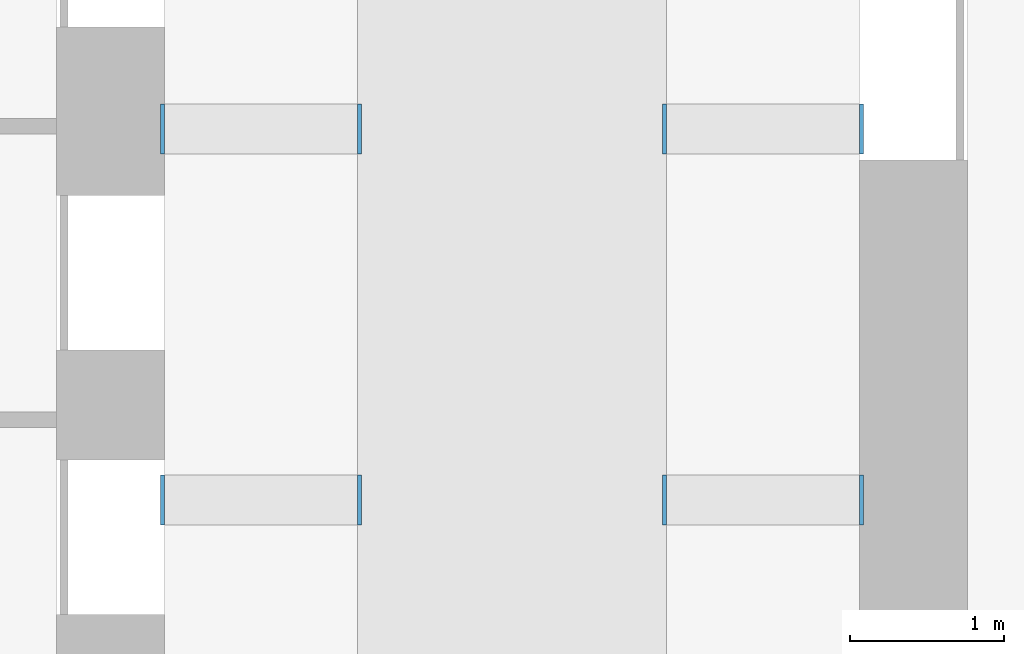
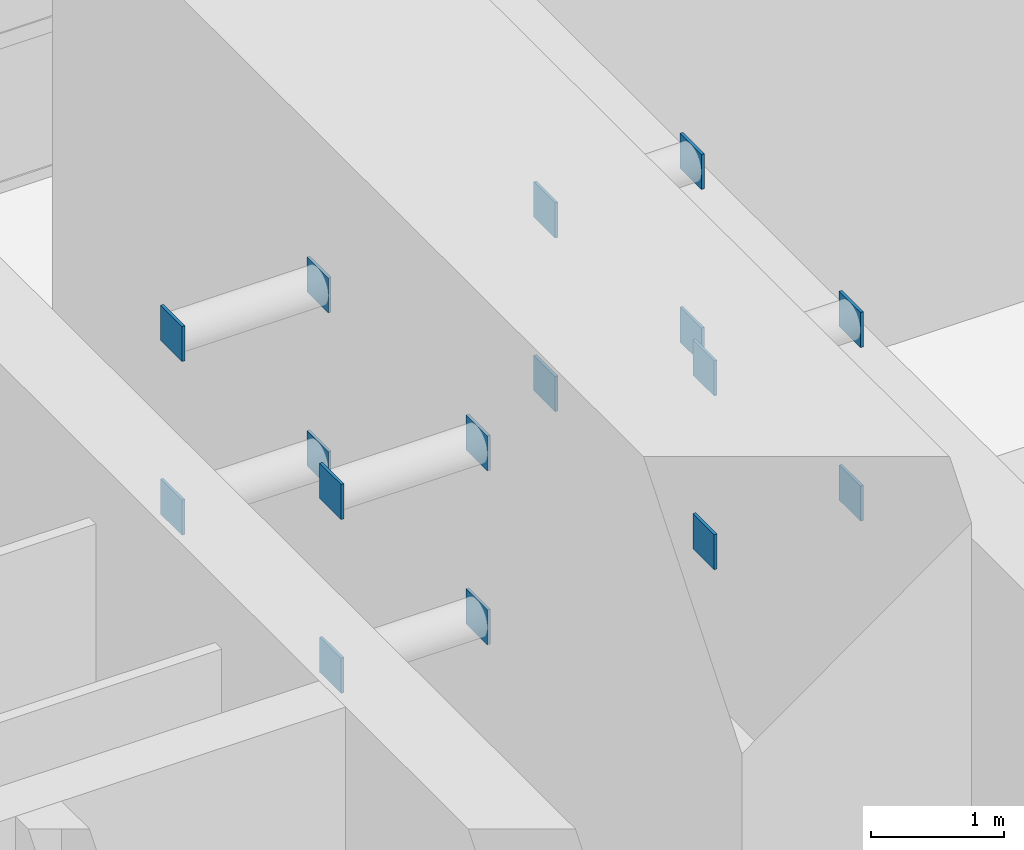
# One storey, part 12 of 13: 16 discrete accessories.
"""IFC4 building model written with IfcOpenShell, lengths in metres."""

import ifcopenshell
import ifcopenshell.guid

model = None  # the IFC model being written
_history = None  # IfcOwnerHistory: only IFC2X3 demands one
_inside = {}  # id of a spatial element -> (the spatial element, [elements in it])
_under = {}  # id of a project, library or spatial element -> (it, [spatial elements below it])
_declared = {}  # id of a project -> (the project, [libraries it declares])
_typed = {}  # id of a type object -> (the type object, [elements of that type])
_made_of = {}  # id of a material, layer set ... -> (it, [elements and type objects made of it])


def new_model(schema):
    """Start an empty IFC model of exactly this schema.

    Asked for "IFC4X3", IfcOpenShell would pick the latest addendum, in which some entities
    have other attributes; the version numbers below select the first issue.
    IFC2X3 requires an IfcOwnerHistory on every rooted entity: one is made here for all.
    """
    global model, _history
    if schema == "IFC4X3":
        model = ifcopenshell.file(schema_version=(4, 3, 0, 0))
    else:
        model = ifcopenshell.file(schema=schema)
    _inside.clear()
    _under.clear()
    _declared.clear()
    _typed.clear()
    _made_of.clear()
    _history = None
    if model.schema == "IFC2X3":
        org = make("IfcOrganization", Name="unknown")
        user = make(
            "IfcPersonAndOrganization",
            ThePerson=make("IfcPerson", FamilyName="unknown"),
            TheOrganization=org,
        )
        app = make(
            "IfcApplication",
            ApplicationDeveloper=org,
            Version="unknown",
            ApplicationFullName="unknown",
            ApplicationIdentifier="unknown",
        )
        _history = make(
            "IfcOwnerHistory",
            OwningUser=user,
            OwningApplication=app,
            ChangeAction="ADDED",
            CreationDate=0,
        )
    return model


def make(cls, **values):
    """One entity of the class cls with the attributes given. An attribute that is None is left unset."""
    return model.create_entity(
        cls, **{name: value for name, value in values.items() if value is not None}
    )


def rooted(cls, **values):
    """An entity with a GlobalId (a new one), such as an element, a storey or a relation."""
    return make(cls, GlobalId=ifcopenshell.guid.new(), OwnerHistory=_history, **values)


def si_unit(unit_type, name, prefix=None):
    """IfcSIUnit, for example si_unit("LENGTHUNIT", "METRE", prefix="MILLI")."""
    return make("IfcSIUnit", UnitType=unit_type, Prefix=prefix, Name=name)


def assignment(units):
    """IfcUnitAssignment: the units of a project."""
    return None if units is None else make("IfcUnitAssignment", Units=units)


def point(xyz):
    """IfcCartesianPoint."""
    return None if xyz is None else make("IfcCartesianPoint", Coordinates=xyz)


def direction(xyz):
    """IfcDirection."""
    return None if xyz is None else make("IfcDirection", DirectionRatios=xyz)


def frame(location, z_axis=None, x_axis=None):
    """IfcAxis2Placement3D, a coordinate frame: its origin and axes. An axis left out is left unset."""
    return make(
        "IfcAxis2Placement3D",
        Location=point(location),
        Axis=direction(z_axis),
        RefDirection=direction(x_axis),
    )


def frame_2d(location, x_axis=None):
    """IfcAxis2Placement2D, a coordinate frame in the plane: its origin and x axis."""
    return make(
        "IfcAxis2Placement2D", Location=point(location), RefDirection=direction(x_axis)
    )


def origin():
    """The frame at (0, 0, 0) with its axes left unset."""
    return frame((0.0, 0.0, 0.0))


def origin_2d():
    """The frame at (0, 0) in the plane with its x axis left unset."""
    return frame_2d((0.0, 0.0))


def place(relative_to, where):
    """IfcLocalPlacement: puts the frame where relative to a parent placement (None: the world)."""
    return make(
        "IfcLocalPlacement", PlacementRelTo=relative_to, RelativePlacement=where
    )


def context(
    kind, dimensions, precision=None, world=None, true_north=None, identifier=None
):
    """IfcGeometricRepresentationContext, for example the 3D "Model" context."""
    return make(
        "IfcGeometricRepresentationContext",
        ContextIdentifier=identifier,
        ContextType=kind,
        CoordinateSpaceDimension=dimensions,
        Precision=precision,
        WorldCoordinateSystem=world,
        TrueNorth=true_north,
    )


def subcontext(parent, identifier, kind, view, scale=None):
    """IfcGeometricRepresentationSubContext, for example "Body" below "Model"."""
    return make(
        "IfcGeometricRepresentationSubContext",
        ContextIdentifier=identifier,
        ContextType=kind,
        ParentContext=parent,
        TargetScale=scale,
        TargetView=view,
    )


def project(units=None, contexts=None):
    """IfcProject with its units and contexts."""
    return rooted(
        "IfcProject",
        Name="project",
        RepresentationContexts=contexts,
        UnitsInContext=assignment(units),
    )


def spatial(cls, under=None, at=None, **own):
    """A site, building, storey or space (cls), placed at a placement, below another one or the project."""
    s = rooted(cls, ObjectPlacement=at, **own)
    if under is not None:
        _under.setdefault(under.id(), (under, []))[1].append(s)
    return s


def profile(cls, at=None, kind="AREA", **sizes):
    """A parametric profile (cls). Its sizes go by their IFC names, for example OverallWidth=200.0."""
    return make(cls, ProfileType=kind, Position=at, **sizes)


def rectangle(**sizes):
    """IfcRectangleProfileDef."""
    return profile("IfcRectangleProfileDef", **sizes)


def extrude(swept, where, along, depth):
    """IfcExtrudedAreaSolid: the profile swept, set in the frame where, extruded along a direction by depth."""
    return make(
        "IfcExtrudedAreaSolid",
        SweptArea=swept,
        Position=where,
        ExtrudedDirection=direction(along),
        Depth=depth,
    )


def shape(context_of_items, identifier, shape_type, items):
    """IfcShapeRepresentation: the items that make up one representation, for example the "Body"."""
    return make(
        "IfcShapeRepresentation",
        ContextOfItems=context_of_items,
        RepresentationIdentifier=identifier,
        RepresentationType=shape_type,
        Items=items,
    )


def material(Name=None, Category=None):
    """IfcMaterial."""
    return make("IfcMaterial", Name=Name, Category=Category)


def material_profile(
    of_material, cross_section, Name=None, Category=None, Priority=None
):
    """IfcMaterialProfile: a cross section and its material."""
    return make(
        "IfcMaterialProfile",
        Name=Name,
        Material=of_material,
        Profile=cross_section,
        Priority=Priority,
        Category=Category,
    )


def profile_set(profiles, Name=None, composite=None):
    """IfcMaterialProfileSet."""
    return make(
        "IfcMaterialProfileSet",
        Name=Name,
        MaterialProfiles=profiles,
        CompositeProfile=composite,
    )


def made_of(thing, what):
    """Note that an element or type object is made of a material, layer set ...; save() writes the relation."""
    if what is not None:
        _made_of.setdefault(what.id(), (what, []))[1].append(thing)
    return thing


def type_object(cls, material=None, **own):
    """A type object (cls), such as IfcWallType, which elements share."""
    return made_of(rooted(cls, **own), material)


def element(
    cls,
    number,
    at=None,
    inside=None,
    cuts=None,
    type_object=None,
    material=None,
    context=None,
    identifier="Body",
    shape_type=None,
    held_by="IfcProductDefinitionShape",
    body=None,
    shapes=None,
    **own,
):
    """One element of the class cls, such as IfcWall. Its Tag is "e" and its number.

    at: its placement. inside: the storey or other place that contains it. cuts: it is an
    opening in that element (IfcRelVoidsElement). A single representation is given by context,
    identifier, shape_type and body (its items); several are given by shapes. held_by: the class
    of the entity that holds the representations. save() writes the other relations.
    """
    e = rooted(cls, Tag="e%d" % number, ObjectPlacement=at, **own)
    if body is not None:
        shapes = [shape(context, identifier, shape_type, body)]
    if shapes is not None:
        e.Representation = make(held_by, Representations=shapes)
    if inside is not None:
        _inside.setdefault(inside.id(), (inside, []))[1].append(e)
    if cuts is not None:
        rooted(
            "IfcRelVoidsElement", RelatingBuildingElement=cuts, RelatedOpeningElement=e
        )
    if type_object is not None:
        _typed.setdefault(type_object.id(), (type_object, []))[1].append(e)
    return made_of(e, material)


def aggregate(whole, parts):
    """IfcRelAggregates: a whole, such as a stair, and the parts it consists of."""
    return rooted("IfcRelAggregates", RelatingObject=whole, RelatedObjects=parts)


def save(model, path):
    """Write the relations noted so far, then the file.

    IfcRelAggregates (storeys below a building ...), IfcRelContainedInSpatialStructure (elements
    in a storey), IfcRelDefinesByType, IfcRelAssociatesMaterial and IfcRelDeclares: one each for
    every whole, place, type object, material and project.
    """
    for whole, parts in _under.values():
        aggregate(whole, parts)
    for where, things in _inside.values():
        rooted(
            "IfcRelContainedInSpatialStructure",
            RelatedElements=things,
            RelatingStructure=where,
        )
    for kind, things in _typed.values():
        rooted("IfcRelDefinesByType", RelatedObjects=things, RelatingType=kind)
    for what, things in _made_of.values():
        rooted("IfcRelAssociatesMaterial", RelatedObjects=things, RelatingMaterial=what)
    for by, libraries in _declared.values():
        rooted("IfcRelDeclares", RelatingContext=by, RelatedDefinitions=libraries)
    model.write(path)


model = new_model("IFC4")

# Units and contexts
model_context = context("Model", 3, precision=1e-05, world=origin(), true_north=direction((0.0, 1.0)))
body_context = subcontext(model_context, "Body", "Model", "MODEL_VIEW")
ifc_project = project(units=[si_unit("LENGTHUNIT", "METRE"), si_unit("AREAUNIT", "SQUARE_METRE"), si_unit("VOLUMEUNIT", "CUBIC_METRE"), si_unit("PLANEANGLEUNIT", "RADIAN"), si_unit("MASSUNIT", "GRAM", prefix="KILO")], contexts=[model_context])

# Site, building, storey
site_placement = place(None, origin())
site = spatial("IfcSite", under=ifc_project, at=site_placement, CompositionType="ELEMENT")
building_placement = place(site_placement, origin())
building = spatial("IfcBuilding", under=site, at=building_placement, Name="Corbel Stack Research Tower", CompositionType="ELEMENT")
storey_placement = place(building_placement, frame((0.0, 0.0, 311.800048828125)))
storey = spatial("IfcBuildingStorey", under=building, at=storey_placement, Name="L70", CompositionType="ELEMENT", Elevation=311.800048828125)

# Discrete accessories
ifc_material = material(Name="Steel S355", Category="steel")
ifc_material_profile = material_profile(ifc_material, rectangle(XDim=0.32373046875, YDim=0.32373046875, at=origin_2d()), Name="End plate 324x324x25")
ifc_profile_set = profile_set([ifc_material_profile], Name="Steel S355")
discrete_accessory_type = type_object("IfcDiscreteAccessoryType", Name="End plate 324x324x25", PredefinedType="ANCHORPLATE", material=ifc_profile_set)
for number, where, z_axis, x_axis, name in (
    (1, (2.75, 11.199951171875, 4.099853515625), (1.0, 0.0, 0.0), (0.0, 1.0, 0.0), "Damper end plate W1a"),
    (2, (1.5, 11.199951171875, 4.099853515625), (-1.0, 0.0, 0.0), (0.0, -1.0, 0.0), "Damper end plate W1b"),
    (3, (2.75, 11.199951171875, 5.699951171875), (1.0, 0.0, 0.0), (0.0, 1.0, 0.0), "Damper end plate W2a"),
    (4, (1.5, 11.199951171875, 5.699951171875), (-1.0, 0.0, 0.0), (0.0, -1.0, 0.0), "Damper end plate W2b"),
    (5, (2.75, 13.60009765625, 4.099853515625), (1.0, 0.0, 0.0), (0.0, 1.0, 0.0), "Damper end plate W3a"),
    (6, (1.5, 13.60009765625, 4.099853515625), (-1.0, 0.0, 0.0), (0.0, -1.0, 0.0), "Damper end plate W3b"),
    (7, (2.75, 13.60009765625, 5.699951171875), (1.0, 0.0, 0.0), (0.0, 1.0, 0.0), "Damper end plate W4a"),
    (8, (1.5, 13.60009765625, 5.699951171875), (-1.0, 0.0, 0.0), (0.0, -1.0, 0.0), "Damper end plate W4b"),
    (9, (4.75, 11.199951171875, 4.099853515625), (-1.0, 0.0, 0.0), (0.0, -1.0, 0.0), "Damper end plate E5a"),
    (10, (6.0, 11.199951171875, 4.099853515625), (1.0, 0.0, 0.0), (0.0, 1.0, 0.0), "Damper end plate E5b"),
    (11, (4.75, 11.199951171875, 5.699951171875), (-1.0, 0.0, 0.0), (0.0, -1.0, 0.0), "Damper end plate E6a"),
    (12, (6.0, 11.199951171875, 5.699951171875), (1.0, 0.0, 0.0), (0.0, 1.0, 0.0), "Damper end plate E6b"),
    (13, (4.75, 13.60009765625, 4.099853515625), (-1.0, 0.0, 0.0), (0.0, -1.0, 0.0), "Damper end plate E7a"),
    (14, (6.0, 13.60009765625, 4.099853515625), (1.0, 0.0, 0.0), (0.0, 1.0, 0.0), "Damper end plate E7b"),
    (15, (4.75, 13.60009765625, 5.699951171875), (-1.0, 0.0, 0.0), (0.0, -1.0, 0.0), "Damper end plate E8a"),
    (16, (6.0, 13.60009765625, 5.699951171875), (1.0, 0.0, 0.0), (0.0, 1.0, 0.0), "Damper end plate E8b"),
):
    element("IfcDiscreteAccessory", number, at=place(storey_placement, frame(where, z_axis=z_axis, x_axis=x_axis)), inside=storey, type_object=discrete_accessory_type, Name=name, PredefinedType="ANCHORPLATE", context=body_context, shape_type="SweptSolid", body=[
        extrude(rectangle(XDim=0.32373046875, YDim=0.32373046875, at=origin_2d()), origin(), (0.0, 0.0, 1.0), 0.02490234375),
    ])

save(model, "model.ifc")
